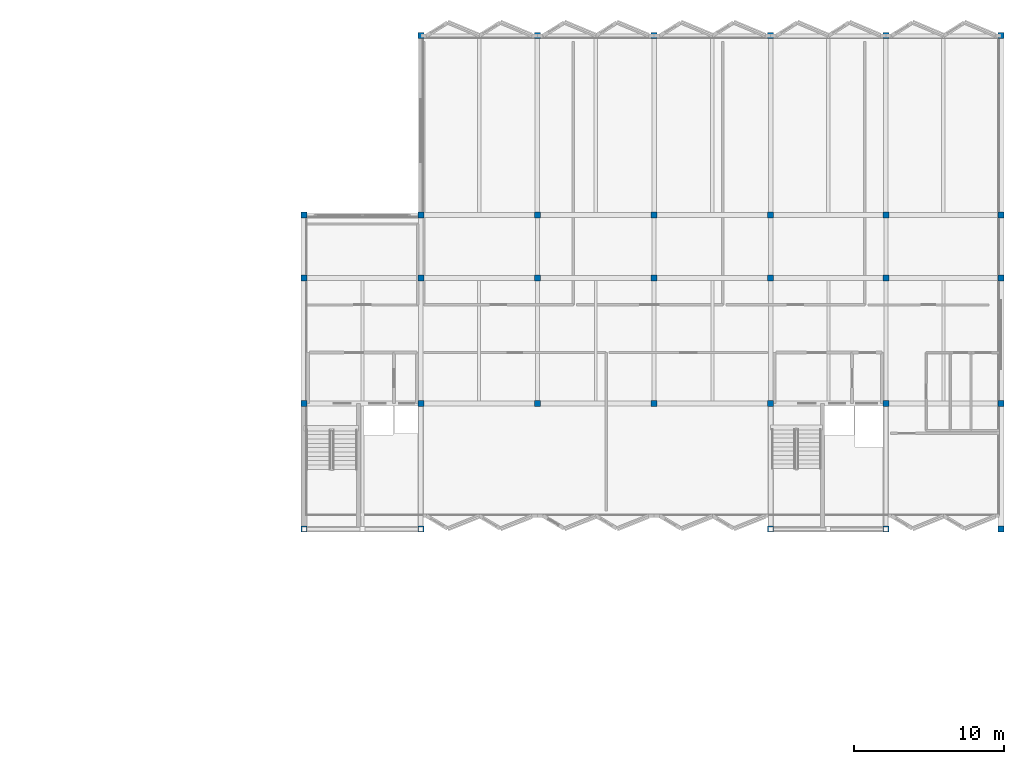
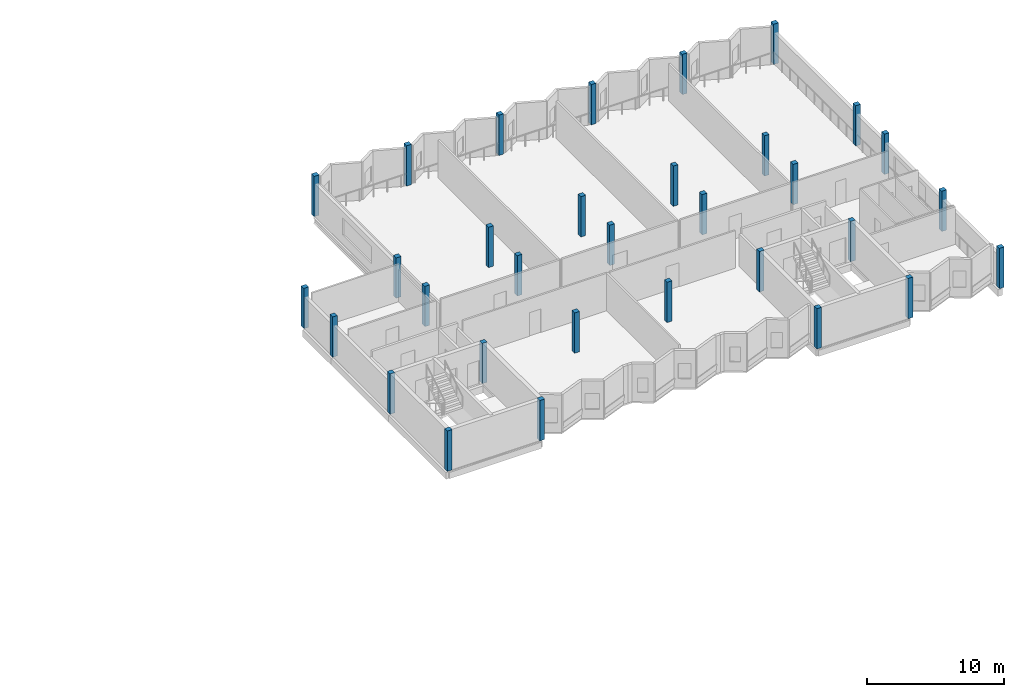
# One storey, part 1 of 15: 32 columns.
"""IFC4 building model written with IfcOpenShell, lengths in metres."""

from ifc_helpers import new_model, si_unit, direction, frame, origin, origin_2d, place, context, subcontext, project, spatial, rectangle, extrude, material, material_profile, profile_set, type_object, element, save


model = new_model("IFC4")

# Units and contexts
model_context = context("Model", 3, precision=1e-05, world=origin(), true_north=direction((0.0, 1.0)))
body_context = subcontext(model_context, "Body", "Model", "MODEL_VIEW")
ifc_project = project(units=[si_unit("LENGTHUNIT", "METRE"), si_unit("AREAUNIT", "SQUARE_METRE"), si_unit("VOLUMEUNIT", "CUBIC_METRE"), si_unit("PLANEANGLEUNIT", "RADIAN"), si_unit("MASSUNIT", "GRAM", prefix="KILO")], contexts=[model_context])

# Site, building, storey
site_placement = place(None, origin())
site = spatial("IfcSite", under=ifc_project, at=site_placement, CompositionType="ELEMENT")
building_placement = place(site_placement, origin())
building = spatial("IfcBuilding", under=site, at=building_placement, Name="Vharandega Faculty of Natural Sciences", CompositionType="ELEMENT")
storey_placement = place(building_placement, frame((0.0, 0.0, 32.39990234375)))
storey = spatial("IfcBuildingStorey", under=building, at=storey_placement, Name="L08", CompositionType="ELEMENT", Elevation=32.39990234375)

# Columns
ifc_material = material(Name="Glulam GL32h", Category="wood")
ifc_material_profile = material_profile(ifc_material, rectangle(XDim=0.39990234375, YDim=0.39990234375, at=origin_2d()), Name="GL32h 400x400")
ifc_profile_set = profile_set([ifc_material_profile], Name="Glulam GL32h")
column_type = type_object("IfcColumnType", Name="Glulam Column 400x400", PredefinedType="COLUMN", material=ifc_profile_set)
for number, where, z_axis, x_axis, name in (
    (1, (114.800048828125, 64.0, 0.0), (0.0, 0.0, 1.0), (1.0, 0.0, 0.0), "Column 15/J L08"),
    (2, (114.800048828125, 72.39990234375, 0.0), (0.0, 0.0, 1.0), (1.0, 0.0, 0.0), "Column 15/K L08"),
    (3, (114.800048828125, 80.800048828125, 0.0), (0.0, 0.0, 1.0), (1.0, 0.0, 0.0), "Column 15/L L08"),
    (4, (114.800048828125, 85.0, 0.0), (0.0, 0.0, 1.0), (1.0, 0.0, 0.0), "Column 15/M L08"),
    (5, (122.60009765625, 64.0, 0.0), (0.0, 0.0, 1.0), (1.0, 0.0, 0.0), "Column 16/J L08"),
    (6, (122.60009765625, 72.39990234375, 0.0), (0.0, 0.0, 1.0), (1.0, 0.0, 0.0), "Column 16/K L08"),
    (7, (122.60009765625, 80.800048828125, 0.0), (0.0, 0.0, 1.0), (1.0, 0.0, 0.0), "Column 16/L L08"),
    (8, (122.60009765625, 85.0, 0.0), (0.0, 0.0, 1.0), (1.0, 0.0, 0.0), "Column 16/M L08"),
    (9, (122.60009765625, 97.0, 0.0), (0.0, 0.0, 1.0), (1.0, 0.0, 0.0), "Column 16/N L08"),
    (10, (130.39990234375, 72.39990234375, 0.0), (0.0, 0.0, 1.0), (1.0, 0.0, 0.0), "Column 17/K L08"),
    (11, (130.39990234375, 80.800048828125, 0.0), (0.0, 0.0, 1.0), (1.0, 0.0, 0.0), "Column 17/L L08"),
    (12, (130.39990234375, 85.0, 0.0), (0.0, 0.0, 1.0), (1.0, 0.0, 0.0), "Column 17/M L08"),
    (13, (130.39990234375, 97.0, 0.0), (0.0, 0.0, 1.0), (1.0, 0.0, 0.0), "Column 17/N L08"),
    (14, (138.199951171875, 72.39990234375, 0.0), (0.0, 0.0, 1.0), (1.0, 0.0, 0.0), "Column 18/K L08"),
    (15, (138.199951171875, 80.800048828125, 0.0), (0.0, 0.0, 1.0), (1.0, 0.0, 0.0), "Column 18/L L08"),
    (16, (138.199951171875, 85.0, 0.0), (0.0, 0.0, 1.0), (1.0, 0.0, 0.0), "Column 18/M L08"),
    (17, (138.199951171875, 97.0, 0.0), (0.0, 0.0, 1.0), (1.0, 0.0, 0.0), "Column 18/N L08"),
    (18, (146.0, 64.0, 0.0), (0.0, 0.0, 1.0), (1.0, 0.0, 0.0), "Column 19/J L08"),
    (19, (146.0, 72.39990234375, 0.0), (0.0, 0.0, 1.0), (1.0, 0.0, 0.0), "Column 19/K L08"),
    (20, (146.0, 80.800048828125, 0.0), (0.0, 0.0, 1.0), (1.0, 0.0, 0.0), "Column 19/L L08"),
    (21, (146.0, 85.0, 0.0), (0.0, 0.0, 1.0), (1.0, 0.0, 0.0), "Column 19/M L08"),
    (22, (146.0, 97.0, 0.0), (0.0, 0.0, 1.0), (1.0, 0.0, 0.0), "Column 19/N L08"),
    (23, (153.699951171875, 64.0, 0.0), (0.0, 0.0, 1.0), (1.0, 0.0, 0.0), "Column 20/J L08"),
    (24, (153.699951171875, 72.39990234375, 0.0), (0.0, 0.0, 1.0), (1.0, 0.0, 0.0), "Column 20/K L08"),
    (25, (153.699951171875, 80.800048828125, 0.0), (0.0, 0.0, 1.0), (1.0, 0.0, 0.0), "Column 20/L L08"),
    (26, (153.699951171875, 85.0, 0.0), (0.0, 0.0, 1.0), (1.0, 0.0, 0.0), "Column 20/M L08"),
    (27, (153.699951171875, 97.0, 0.0), (0.0, 0.0, 1.0), (1.0, 0.0, 0.0), "Column 20/N L08"),
    (28, (161.39990234375, 64.0, 0.0), (0.0, 0.0, 1.0), (1.0, 0.0, 0.0), "Column 21/J L08"),
    (29, (161.39990234375, 72.39990234375, 0.0), (0.0, 0.0, 1.0), (1.0, 0.0, 0.0), "Column 21/K L08"),
    (30, (161.39990234375, 80.800048828125, 0.0), (0.0, 0.0, 1.0), (1.0, 0.0, 0.0), "Column 21/L L08"),
    (31, (161.39990234375, 85.0, 0.0), (0.0, 0.0, 1.0), (1.0, 0.0, 0.0), "Column 21/M L08"),
    (32, (161.39990234375, 97.0, 0.0), (0.0, 0.0, 1.0), (1.0, 0.0, 0.0), "Column 21/N L08"),
):
    element("IfcColumn", number, at=place(storey_placement, frame(where, z_axis=z_axis, x_axis=x_axis)), inside=storey, type_object=column_type, Name=name, PredefinedType="COLUMN", context=body_context, shape_type="SweptSolid", body=[
        extrude(rectangle(XDim=0.39990234375, YDim=0.39990234375, at=origin_2d()), origin(), (0.0, 0.0, 1.0), 3.60009765625),
    ])

save(model, "model.ifc")
